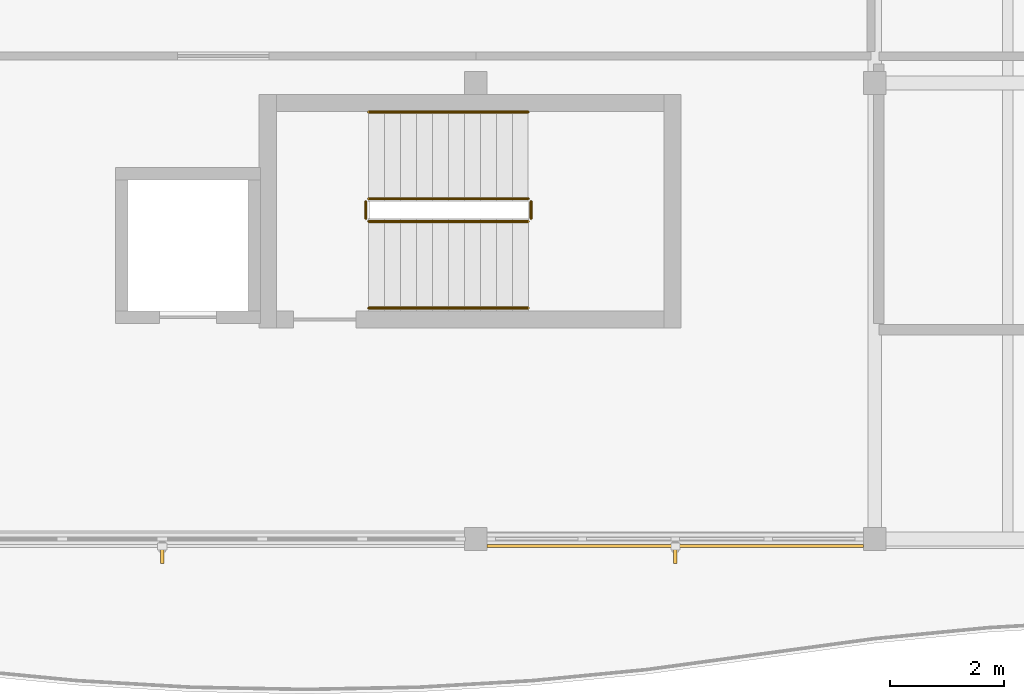
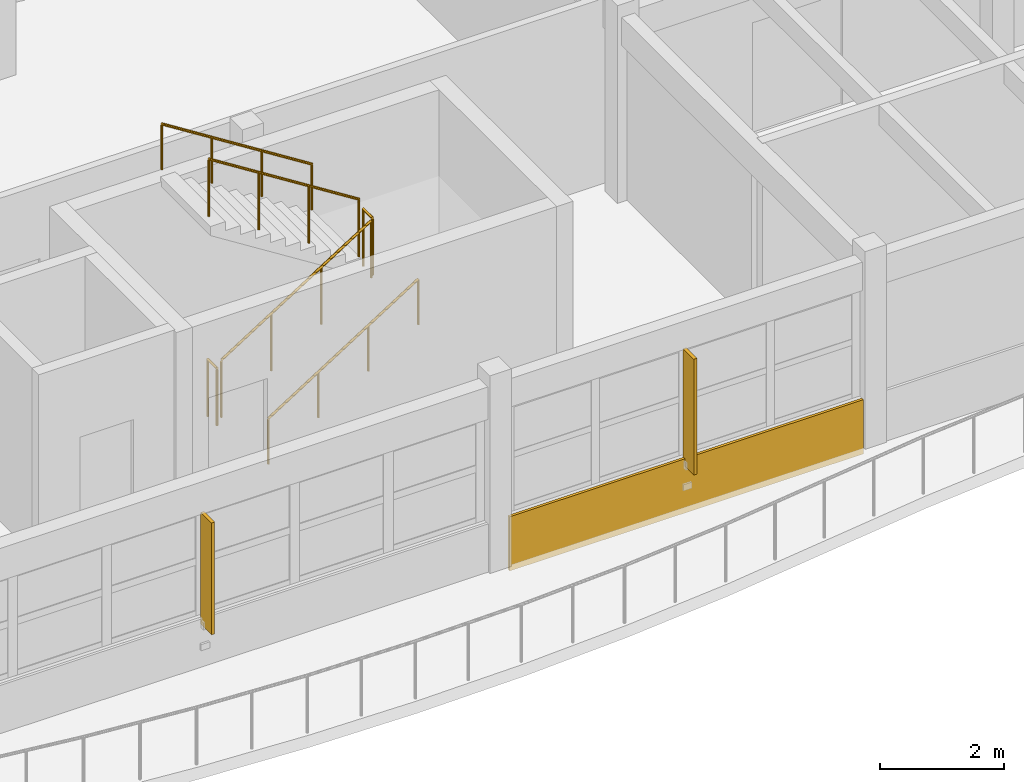
# One storey, part 49 of 52: 6 railings, 2 shading devices, 1 covering.
"""IFC4 building model written with IfcOpenShell, lengths in metres."""

from ifc_helpers import new_model, si_unit, direction, frame, origin, origin_2d, place, context, subcontext, project, spatial, polyline, rectangle, circle, outline, extrude, material, layer, layer_set, type_object, element, save


model = new_model("IFC4")

# Units and contexts
model_context = context("Model", 3, precision=1e-05, world=origin(), true_north=direction((0.0, 1.0)))
body_context = subcontext(model_context, "Body", "Model", "MODEL_VIEW")
ifc_project = project(units=[si_unit("LENGTHUNIT", "METRE"), si_unit("AREAUNIT", "SQUARE_METRE"), si_unit("VOLUMEUNIT", "CUBIC_METRE"), si_unit("PLANEANGLEUNIT", "RADIAN"), si_unit("MASSUNIT", "GRAM", prefix="KILO")], contexts=[model_context])

# Site, building, storey
site_placement = place(None, origin())
site = spatial("IfcSite", under=ifc_project, at=site_placement, CompositionType="ELEMENT")
building_placement = place(site_placement, origin())
building = spatial("IfcBuilding", under=site, at=building_placement, Name="Tonlespit Floodbar School", CompositionType="ELEMENT")
storey_placement = place(building_placement, frame((0.0, 0.0, 12.300048828125)))
storey = spatial("IfcBuildingStorey", under=building, at=storey_placement, Name="L03", CompositionType="ELEMENT", Elevation=12.300048828125)

# Covering
ifc_material_1 = material(Name="White Architectural Aluminium", Category="aluminium")
ifc_layer_1 = layer(ifc_material_1, 0.050048828125)
ifc_layer_set_1 = layer_set([ifc_layer_1], Name="White Architectural Aluminium")
covering_type = type_object("IfcCoveringType", Name="Cladding_WhiteBand_50", PredefinedType="CLADDING", material=ifc_layer_set_1)
covering_placement = place(storey_placement, frame((0.0, 0.0, -0.1201171875)))
element("IfcCovering", 1, at=covering_placement, inside=storey, type_object=covering_type, Name="L03 curved white spandrel cladding 0724", PredefinedType="CLADDING", context=body_context, shape_type="SweptSolid", body=[
    extrude(outline(polyline([(133.800048828125, 103.89990234375), (127.199951171875, 103.89990234375), (127.199951171875, 103.85009765625), (133.800048828125, 103.85009765625), (133.800048828125, 103.89990234375)])), origin(), (0.0, 0.0, 1.0), 1.070068359375),
])

# Railings
ifc_material_2 = material(Name="Galvanised Steel", Category="steel")
railing_type_1 = type_object("IfcRailingType", Name="Guard_Int_1150", PredefinedType="BALUSTRADE", material=ifc_material_2)
railing_1_placement = place(storey_placement, frame((125.1201171875, 109.570068359375, 0.17724609375)))
element("IfcRailing", 2, at=railing_1_placement, inside=storey, type_object=railing_type_1, Name="L03 ST-C4 stair guard 1", PredefinedType="BALUSTRADE", context=body_context, shape_type="SweptSolid", body=[
    extrude(circle(Radius=0.02392578125, at=origin_2d()), frame((0.0, 0.0, 1.1259765625), z_axis=(0.844887892834, 0.0, 0.53494340686), x_axis=(0.0, 1.0, 0.0)), (0.0, 0.0, 1.0), 3.313720703125),
    extrude(circle(Radius=0.02099609375, at=origin_2d()), origin(), (0.0, 0.0, 1.0), 1.101806640625),
    extrude(circle(Radius=0.02099609375, at=origin_2d()), frame((0.933349609375, 0.0, 0.5908203125)), (0.0, 0.0, 1.0), 1.101806640625),
    extrude(circle(Radius=0.02099609375, at=origin_2d()), frame((1.866455078125, 0.0, 1.181884765625)), (0.0, 0.0, 1.0), 1.101806640625),
    extrude(circle(Radius=0.02099609375, at=origin_2d()), frame((2.7998046875, 0.0, 1.772705078125)), (0.0, 0.0, 1.0), 1.101806640625),
])
railing_2_placement = place(storey_placement, frame((127.969970703125, 109.6201171875, 1.949951171875)))
element("IfcRailing", 3, at=railing_2_placement, inside=storey, type_object=railing_type_1, Name="L03 ST-C4 stair guard 2", PredefinedType="BALUSTRADE", context=body_context, shape_type="SweptSolid", body=[
    extrude(circle(Radius=0.02392578125, at=origin_2d()), frame((0.0, 0.0, 1.1259765625), z_axis=(0.0, 1.0, 0.0), x_axis=(-1.0, 0.0, 0.0)), (0.0, 0.0, 1.0), 0.2998046875),
    extrude(circle(Radius=0.02099609375, at=origin_2d()), origin(), (0.0, 0.0, 1.0), 1.101806640625),
    extrude(circle(Radius=0.02099609375, at=origin_2d()), frame((0.0, 0.2998046875, 0.0)), (0.0, 0.0, 1.0), 1.101806640625),
])
railing_3_placement = place(storey_placement, frame((127.919921875, 109.969970703125, 2.127197265625)))
element("IfcRailing", 4, at=railing_3_placement, inside=storey, type_object=railing_type_1, Name="L03 ST-C4 stair guard 3", PredefinedType="BALUSTRADE", context=body_context, shape_type="SweptSolid", body=[
    extrude(circle(Radius=0.02392578125, at=origin_2d()), frame((0.0, 0.0, 1.1259765625), z_axis=(-0.844887892834, 0.0, 0.53494340686), x_axis=(0.0, -1.0, 0.0)), (0.0, 0.0, 1.0), 3.313720703125),
    extrude(circle(Radius=0.02099609375, at=origin_2d()), origin(), (0.0, 0.0, 1.0), 1.101806640625),
    extrude(circle(Radius=0.02099609375, at=origin_2d()), frame((-0.933349609375, 0.0, 0.5908203125)), (0.0, 0.0, 1.0), 1.101806640625),
    extrude(circle(Radius=0.02099609375, at=origin_2d()), frame((-1.866455078125, 0.0, 1.181884765625)), (0.0, 0.0, 1.0), 1.101806640625),
    extrude(circle(Radius=0.02099609375, at=origin_2d()), frame((-2.7998046875, 0.0, 1.772705078125)), (0.0, 0.0, 1.0), 1.101806640625),
])
railing_4_placement = place(storey_placement, frame((125.070068359375, 109.6201171875, 0.0)))
element("IfcRailing", 5, at=railing_4_placement, inside=storey, type_object=railing_type_1, Name="L03 ST-C4 stair guard 4", PredefinedType="BALUSTRADE", context=body_context, shape_type="SweptSolid", body=[
    extrude(circle(Radius=0.02392578125, at=origin_2d()), frame((0.0, 0.0, 1.1259765625), z_axis=(0.0, 1.0, 0.0), x_axis=(-1.0, 0.0, 0.0)), (0.0, 0.0, 1.0), 0.2998046875),
    extrude(circle(Radius=0.02099609375, at=origin_2d()), origin(), (0.0, 0.0, 1.0), 1.101806640625),
    extrude(circle(Radius=0.02099609375, at=origin_2d()), frame((0.0, 0.2998046875, 0.0)), (0.0, 0.0, 1.0), 1.101806640625),
])
railing_type_2 = type_object("IfcRailingType", Name="Handrail_Int_920", PredefinedType="HANDRAIL", material=ifc_material_2)
railing_5_placement = place(storey_placement, frame((125.1201171875, 108.050048828125, 0.17724609375)))
element("IfcRailing", 6, at=railing_5_placement, inside=storey, type_object=railing_type_2, Name="L03 ST-C4 stair handrail 1", PredefinedType="HANDRAIL", context=body_context, shape_type="SweptSolid", body=[
    extrude(circle(Radius=0.02392578125, at=origin_2d()), frame((0.0, 0.0, 0.89599609375), z_axis=(0.844887892834, 0.0, 0.53494340686), x_axis=(0.0, 1.0, 0.0)), (0.0, 0.0, 1.0), 3.313720703125),
    extrude(circle(Radius=0.02099609375, at=origin_2d()), origin(), (0.0, 0.0, 1.0), 0.871826171875),
    extrude(circle(Radius=0.02099609375, at=origin_2d()), frame((0.933349609375, 0.0, 0.5908203125)), (0.0, 0.0, 1.0), 0.871826171875),
    extrude(circle(Radius=0.02099609375, at=origin_2d()), frame((1.866455078125, 0.0, 1.181884765625)), (0.0, 0.0, 1.0), 0.871826171875),
    extrude(circle(Radius=0.02099609375, at=origin_2d()), frame((2.7998046875, 0.0, 1.772705078125)), (0.0, 0.0, 1.0), 0.871826171875),
])
railing_6_placement = place(storey_placement, frame((127.919921875, 111.489990234375, 2.127197265625)))
element("IfcRailing", 7, at=railing_6_placement, inside=storey, type_object=railing_type_2, Name="L03 ST-C4 stair handrail 2", PredefinedType="HANDRAIL", context=body_context, shape_type="SweptSolid", body=[
    extrude(circle(Radius=0.02392578125, at=origin_2d()), frame((0.0, 0.0, 0.89599609375), z_axis=(-0.844887892834, 0.0, 0.53494340686), x_axis=(0.0, -1.0, 0.0)), (0.0, 0.0, 1.0), 3.313720703125),
    extrude(circle(Radius=0.02099609375, at=origin_2d()), origin(), (0.0, 0.0, 1.0), 0.871826171875),
    extrude(circle(Radius=0.02099609375, at=origin_2d()), frame((-0.933349609375, 0.0, 0.5908203125)), (0.0, 0.0, 1.0), 0.871826171875),
    extrude(circle(Radius=0.02099609375, at=origin_2d()), frame((-1.866455078125, 0.0, 1.181884765625)), (0.0, 0.0, 1.0), 0.871826171875),
    extrude(circle(Radius=0.02099609375, at=origin_2d()), frame((-2.7998046875, 0.0, 1.772705078125)), (0.0, 0.0, 1.0), 0.871826171875),
])

# Shading devices
ifc_material_3 = material(Name="Terracotta Anodised Aluminium", Category="masonry")
ifc_layer_2 = layer(ifc_material_3, 0.06005859375)
ifc_layer_set_2 = layer_set([ifc_layer_2], Name="Terracotta Anodised Aluminium")
shading_device_type = type_object("IfcShadingDeviceType", Name="Shading_SolarFin_350", PredefinedType="USERDEFINED", material=ifc_layer_set_2)
shading_device_1_placement = place(storey_placement, frame((130.5, 103.739990234375, 0.7998046875), z_axis=(0.0, 0.0, 1.0), x_axis=(-1.0, 0.0, 0.0)))
element("IfcShadingDevice", 8, at=shading_device_1_placement, inside=storey, type_object=shading_device_type, Name="L03 vertical solar fin 323", ObjectType="SOLAR FIN", PredefinedType="USERDEFINED", context=body_context, shape_type="SweptSolid", body=[
    extrude(rectangle(XDim=0.06005859375, YDim=0.35009765625, at=origin_2d()), origin(), (0.0, 0.0, 1.0), 2.284912109375),
])
shading_device_2_placement = place(storey_placement, frame((121.5, 103.739990234375, 0.7998046875), z_axis=(0.0, 0.0, 1.0), x_axis=(-1.0, 0.0, 0.0)))
element("IfcShadingDevice", 9, at=shading_device_2_placement, inside=storey, type_object=shading_device_type, Name="L03 vertical solar fin 324", ObjectType="SOLAR FIN", PredefinedType="USERDEFINED", context=body_context, shape_type="SweptSolid", body=[
    extrude(rectangle(XDim=0.06005859375, YDim=0.35009765625, at=origin_2d()), origin(), (0.0, 0.0, 1.0), 2.205078125),
])

save(model, "model.ifc")
